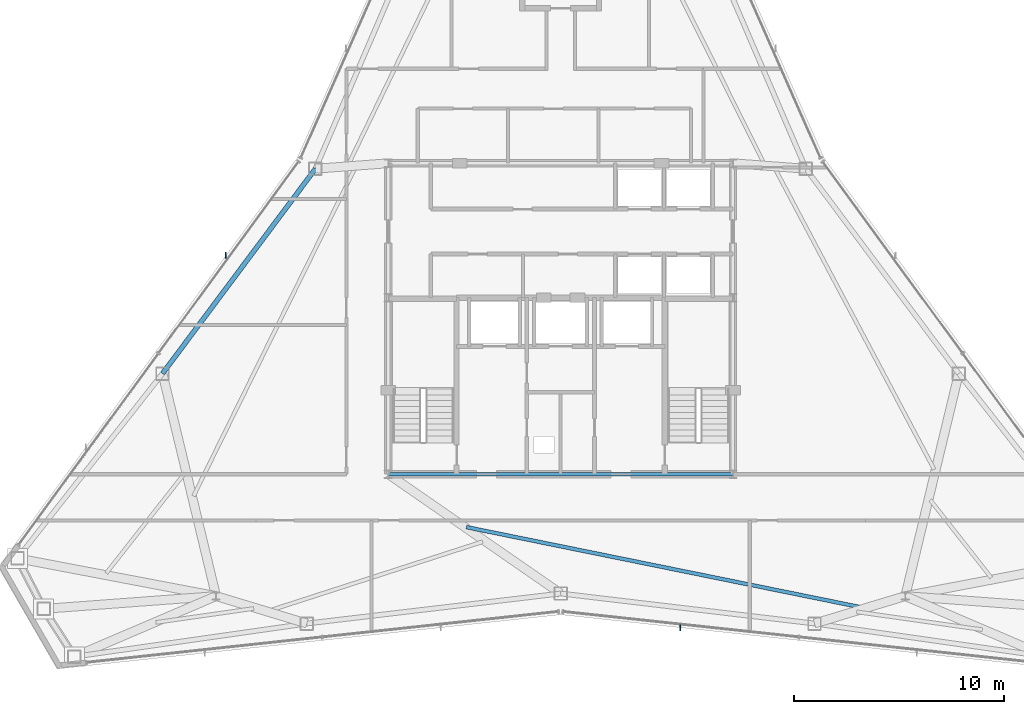
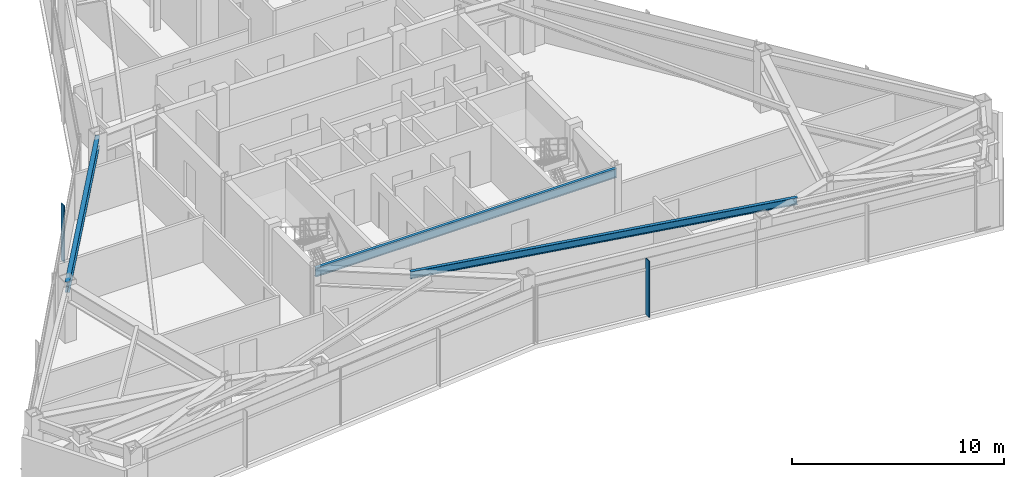
# One storey, part 4 of 12: 3 beams, 2 members, 2 elements without a shape of their own.
"""IFC4 building model written with IfcOpenShell, lengths in metres."""

from ifc_helpers import new_model, si_unit, direction, frame, origin, origin_2d, place, context, subcontext, project, spatial, rectangle, i_section, extrude, source, transform, mapped, material, layer, layer_set, material_profile, profile_set, type_object, type_shapes, element, aggregate, save


model = new_model("IFC4")

# Units and contexts
model_context = context("Model", 3, precision=1e-05, world=origin(), true_north=direction((0.0, 1.0)))
body_context = subcontext(model_context, "Body", "Model", "MODEL_VIEW")
ifc_project = project(units=[si_unit("LENGTHUNIT", "METRE"), si_unit("AREAUNIT", "SQUARE_METRE"), si_unit("VOLUMEUNIT", "CUBIC_METRE"), si_unit("PLANEANGLEUNIT", "RADIAN"), si_unit("MASSUNIT", "GRAM", prefix="KILO")], contexts=[model_context])

# Site, building, storey
site_placement = place(None, origin())
site = spatial("IfcSite", under=ifc_project, at=site_placement, CompositionType="ELEMENT")
building_placement = place(site_placement, origin())
building = spatial("IfcBuilding", under=site, at=building_placement, Name="Varakhsha Concourse Tower", CompositionType="ELEMENT")
storey_placement = place(building_placement, frame((0.0, 0.0, 269.0)))
storey = spatial("IfcBuildingStorey", under=building, at=storey_placement, Name="L76", CompositionType="ELEMENT", Elevation=269.0)

# Beams
ifc_material_1 = material(Name="Structural Steel ASTM A992 Grade 50", Category="steel")
ifc_material_profile_1 = material_profile(ifc_material_1, i_section(OverallWidth=0.177978515625, OverallDepth=0.406982421875, WebThickness=0.008056640625, FlangeThickness=0.012939453125, at=origin_2d()), Name="W16X40")
ifc_profile_set_1 = profile_set([ifc_material_profile_1], Name="Structural Steel ASTM A992 Grade 50")
beam_type_1 = type_object("IfcBeamType", Name="BM-JST-W16X40", PredefinedType="JOIST", material=ifc_profile_set_1)
beam_1_placement = place(storey_placement, frame((35.515869140625, 13.880615234375, 3.04638671875), z_axis=(0.979996243365, -0.199015986769, 0.0), x_axis=(0.199015986769, 0.979996243365, 0.0)))
element("IfcBeam", 1, at=beam_1_placement, inside=storey, type_object=beam_type_1, Name="BM-TJST-L76-11", PredefinedType="JOIST", context=body_context, shape_type="SweptSolid", body=[
    extrude(i_section(OverallWidth=0.177978515625, OverallDepth=0.406982421875, WebThickness=0.008056640625, FlangeThickness=0.012939453125, at=origin_2d()), origin(), (0.0, 0.0, 1.0), 19.260986328125),
])
ifc_material_profile_2 = material_profile(ifc_material_1, i_section(OverallWidth=0.1669921875, OverallDepth=0.534912109375, WebThickness=0.010009765625, FlangeThickness=0.01708984375, at=origin_2d()), Name="W21X57")
ifc_profile_set_2 = profile_set([ifc_material_profile_2], Name="Structural Steel ASTM A992 Grade 50")
beam_type_2 = type_object("IfcBeamType", Name="BM-RAD-W21X57", PredefinedType="BEAM", material=ifc_profile_set_2)
beam_2_placement = place(storey_placement, frame((31.800048828125, 16.39990234375, 2.982421875), z_axis=(1.0, 0.0, 0.0), x_axis=(0.0, 1.0, 0.0)))
element("IfcBeam", 2, at=beam_2_placement, inside=storey, type_object=beam_type_2, Name="BM-TCORE-L76-CS", PredefinedType="BEAM", context=body_context, shape_type="SweptSolid", body=[
    extrude(i_section(OverallWidth=0.1669921875, OverallDepth=0.534912109375, WebThickness=0.010009765625, FlangeThickness=0.01708984375, at=origin_2d()), origin(), (0.0, 0.0, 1.0), 16.39990234375),
])
ifc_material_profile_3 = material_profile(ifc_material_1, i_section(OverallWidth=0.22900390625, OverallDepth=0.612060546875, WebThickness=0.011962890625, FlangeThickness=0.02001953125, at=origin_2d()), Name="W24X84")
ifc_profile_set_3 = profile_set([ifc_material_profile_3], Name="Structural Steel ASTM A992 Grade 50")
beam_type_3 = type_object("IfcBeamType", Name="BM-SPAN-W24X84", PredefinedType="SPANDREL", material=ifc_profile_set_3)
beam_3_placement = place(storey_placement, frame((28.3291015625, 30.938232421875, 2.944091796875), z_axis=(-0.598316034428, -0.801260209262, 0.0), x_axis=(0.801260209262, -0.598316034428, 0.0)))
element("IfcBeam", 3, at=beam_3_placement, inside=storey, type_object=beam_type_3, Name="BM-SPAN-L76-05", PredefinedType="SPANDREL", context=body_context, shape_type="SweptSolid", body=[
    extrude(i_section(OverallWidth=0.22900390625, OverallDepth=0.612060546875, WebThickness=0.011962890625, FlangeThickness=0.02001953125, at=origin_2d()), origin(), (0.0, 0.0, 1.0), 12.164794921875),
])

# Curtain wall, member
ifc_material_2 = material(Name="Anodised Bronze Architectural Aluminium AA 6063-T6", Category="aluminium")
ifc_layer = layer(ifc_material_2, 0.199951171875, Name="CW-SYS-05")
ifc_layer_set = layer_set([ifc_layer], Name="Anodised Bronze Architectural Aluminium AA 6063-T6")
curtain_wall_type = type_object("IfcCurtainWallType", Name="CW-SYS-05", PredefinedType="NOTDEFINED", material=ifc_layer_set)
curtain_wall_1_placement = place(storey_placement, origin())
curtain_wall_1 = element("IfcCurtainWall", 4, at=curtain_wall_1_placement, inside=storey, type_object=curtain_wall_type, Name="L76 Crystal Curtain Wall F3", PredefinedType="NOTDEFINED")
ifc_material_profile_4 = material_profile(ifc_material_2, rectangle(XDim=0.054931640625, YDim=0.300048828125, at=origin_2d()), Name="FIN-BRZ-300")
ifc_profile_set_4 = profile_set([ifc_material_profile_4], Name="Anodised Bronze Architectural Aluminium AA 6063-T6")
member_type = type_object("IfcMemberType", Name="FIN-BRZ-300", PredefinedType="USERDEFINED", material=ifc_profile_set_4)
shared_shape = source(origin(), body_context, "Body", "SweptSolid", [
    extrude(rectangle(XDim=0.054931640625, YDim=0.300048828125, at=origin_2d()), origin(), (0.0, 0.0, 1.0), 3.25),
])
type_shapes(member_type, [shared_shape])
member_1_placement = place(storey_placement, frame((24.06640625, 26.818359375, 0.0), z_axis=(0.0, 0.0, 1.0), x_axis=(1.0, 0.0, 0.0)))
member_1 = element("IfcMember", 5, at=member_1_placement, type_object=member_type, Name="L76 Anodised Bronze Solar Fin F3-2", ObjectType="SOLAR FIN", PredefinedType="USERDEFINED", context=body_context, shape_type="MappedRepresentation", body=[
    mapped(shared_shape, transform((0.0, 0.0, 0.0), scale=1.0)),
])
aggregate(curtain_wall_1, [member_1])

curtain_wall_2_placement = place(storey_placement, origin())
curtain_wall_2 = element("IfcCurtainWall", 6, at=curtain_wall_2_placement, inside=storey, type_object=curtain_wall_type, Name="L76 Crystal Curtain Wall F6", PredefinedType="NOTDEFINED")
member_2_placement = place(storey_placement, frame((45.69921875, 9.092041015625, 0.0), z_axis=(0.0, 0.0, 1.0), x_axis=(1.0, 0.0, 0.0)))
member_2 = element("IfcMember", 7, at=member_2_placement, type_object=member_type, Name="L76 Anodised Bronze Solar Fin F6-2", ObjectType="SOLAR FIN", PredefinedType="USERDEFINED", context=body_context, shape_type="MappedRepresentation", body=[
    mapped(shared_shape, transform((0.0, 0.0, 0.0), scale=1.0)),
])
aggregate(curtain_wall_2, [member_2])

save(model, "model.ifc")
